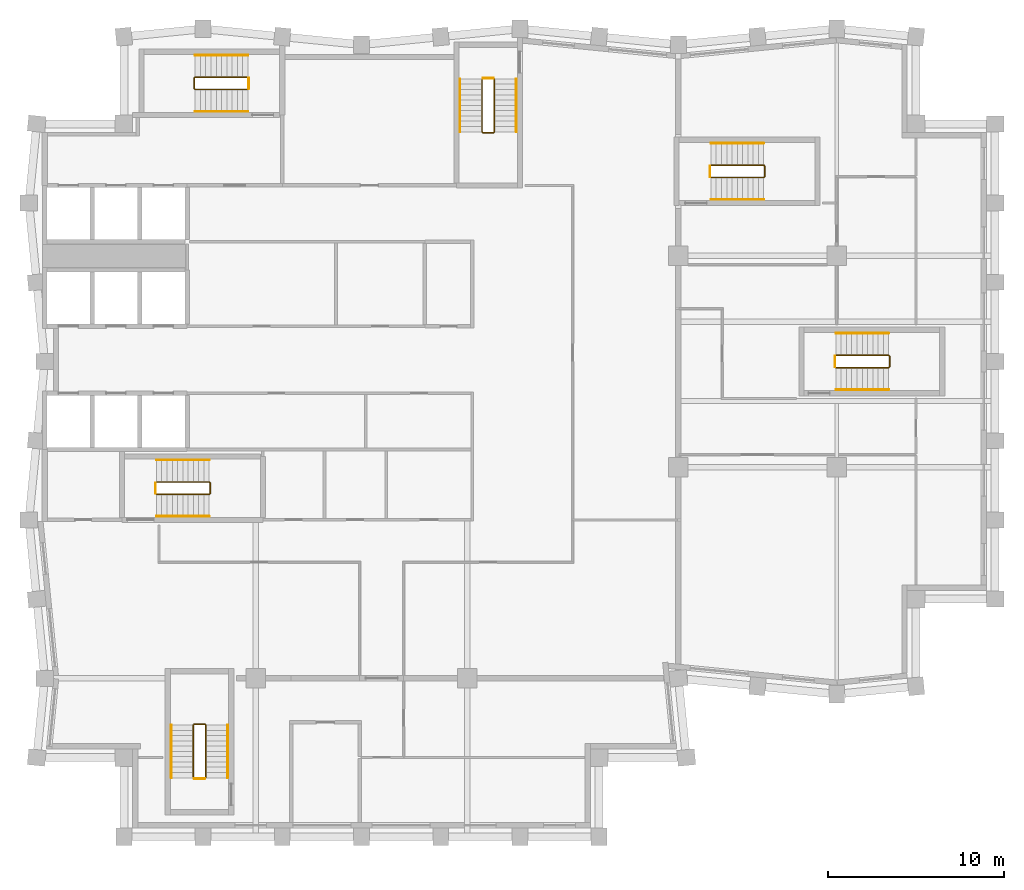
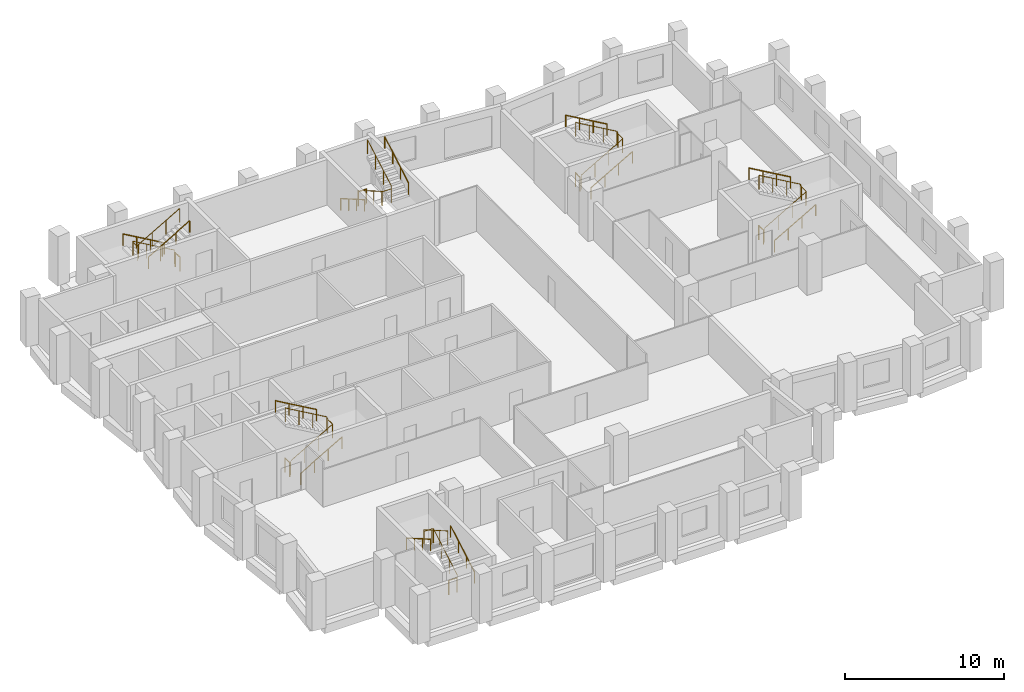
# One storey, part 8 of 8: 24 railings.
"""IFC4 building model written with IfcOpenShell, lengths in metres."""

from ifc_helpers import new_model, si_unit, direction, frame, origin, origin_2d, place, context, subcontext, project, spatial, circle, extrude, material, type_object, element, save


model = new_model("IFC4")

# Units and contexts
model_context = context("Model", 3, precision=1e-05, world=origin(), true_north=direction((0.0, 1.0)))
body_context = subcontext(model_context, "Body", "Model", "MODEL_VIEW")
ifc_project = project(units=[si_unit("LENGTHUNIT", "METRE"), si_unit("AREAUNIT", "SQUARE_METRE"), si_unit("VOLUMEUNIT", "CUBIC_METRE"), si_unit("PLANEANGLEUNIT", "RADIAN"), si_unit("MASSUNIT", "GRAM", prefix="KILO")], contexts=[model_context])

# Site, building, storey
site_placement = place(None, origin())
site = spatial("IfcSite", under=ifc_project, at=site_placement, CompositionType="ELEMENT")
building_placement = place(site_placement, origin())
building = spatial("IfcBuilding", under=site, at=building_placement, Name="Brondeck Convention Tower", CompositionType="ELEMENT")
storey_placement = place(building_placement, frame((0.0, 0.0, 233.0)))
storey = spatial("IfcBuildingStorey", under=building, at=storey_placement, Name="L57", CompositionType="ELEMENT", Elevation=233.0)

# Railings
ifc_material = material(Name="Steel S355", Category="steel")
railing_type_1 = type_object("IfcRailingType", Name="Stair guard 1100", PredefinedType="GUARDRAIL", material=ifc_material)
railing_1_placement = place(storey_placement, frame((6.35009765625, 37.449951171875, 0.172607421875)))
element("IfcRailing", 1, at=railing_1_placement, inside=storey, type_object=railing_type_1, Name="L57 ST-1 stair guard 1", PredefinedType="GUARDRAIL", context=body_context, shape_type="SweptSolid", body=[
    extrude(circle(Radius=0.02392578125, at=origin_2d()), frame((0.0, 0.0, 1.076171875), z_axis=(0.866619684472, 0.0, 0.498969260062), x_axis=(0.0, 1.0, 0.0)), (0.0, 0.0, 1.0), 3.461669921875),
    extrude(circle(Radius=0.02392578125, at=origin_2d()), frame((3.0, 0.0, 2.80322265625), z_axis=(0.705375805398, 0.708833529934, 0.0), x_axis=(-0.708833529934, 0.705375805398, 0.0)), (0.0, 0.0, 1.0), 0.070556640625),
    extrude(circle(Radius=0.02392578125, at=origin_2d()), frame((3.0498046875, 0.050048828125, 2.80322265625), z_axis=(0.0, 1.0, 0.0), x_axis=(-1.0, 0.0, 0.0)), (0.0, 0.0, 1.0), 0.60009765625),
    extrude(circle(Radius=0.02392578125, at=origin_2d()), frame((3.0498046875, 0.650146484375, 2.80322265625), z_axis=(-0.266832911964, 0.266832911964, 0.926067165051), x_axis=(-0.707106781187, -0.707106781187, 0.0)), (0.0, 0.0, 1.0), 0.186767578125),
    extrude(circle(Radius=0.02392578125, at=origin_2d()), frame((3.0, 0.699951171875, 2.97607421875), z_axis=(-0.866619684472, 0.0, 0.498969260062), x_axis=(0.0, -1.0, 0.0)), (0.0, 0.0, 1.0), 3.461669921875),
    extrude(circle(Radius=0.02099609375, at=origin_2d()), origin(), (0.0, 0.0, 1.0), 1.052001953125),
    extrude(circle(Radius=0.02099609375, at=origin_2d()), frame((1.0, 0.0, 0.57568359375)), (0.0, 0.0, 1.0), 1.052001953125),
    extrude(circle(Radius=0.02099609375, at=origin_2d()), frame((2.0, 0.0, 1.151611328125)), (0.0, 0.0, 1.0), 1.052001953125),
    extrude(circle(Radius=0.02099609375, at=origin_2d()), frame((3.0, 0.0, 1.727294921875)), (0.0, 0.0, 1.0), 1.052001953125),
    extrude(circle(Radius=0.02099609375, at=origin_2d()), frame((3.0498046875, 0.050048828125, 1.727294921875)), (0.0, 0.0, 1.0), 1.052001953125),
    extrude(circle(Radius=0.02099609375, at=origin_2d()), frame((3.0498046875, 0.650146484375, 1.727294921875)), (0.0, 0.0, 1.0), 1.052001953125),
    extrude(circle(Radius=0.02099609375, at=origin_2d()), frame((3.0, 0.699951171875, 1.900146484375)), (0.0, 0.0, 1.0), 1.052001953125),
    extrude(circle(Radius=0.02099609375, at=origin_2d()), frame((2.0, 0.699951171875, 2.475830078125)), (0.0, 0.0, 1.0), 1.052001953125),
    extrude(circle(Radius=0.02099609375, at=origin_2d()), frame((1.0, 0.699951171875, 3.0517578125)), (0.0, 0.0, 1.0), 1.052001953125),
    extrude(circle(Radius=0.02099609375, at=origin_2d()), frame((0.0, 0.699951171875, 3.62744140625)), (0.0, 0.0, 1.0), 1.052001953125),
])
railing_2_placement = place(storey_placement, frame((6.300048828125, 37.5, 0.0)))
element("IfcRailing", 2, at=railing_2_placement, inside=storey, type_object=railing_type_1, Name="L57 ST-1 stair guard 2", PredefinedType="GUARDRAIL", context=body_context, shape_type="SweptSolid", body=[
    extrude(circle(Radius=0.02392578125, at=origin_2d()), frame((0.0, 0.0, 1.076171875), z_axis=(0.0, 1.0, 0.0), x_axis=(-1.0, 0.0, 0.0)), (0.0, 0.0, 1.0), 0.60009765625),
    extrude(circle(Radius=0.02099609375, at=origin_2d()), origin(), (0.0, 0.0, 1.0), 1.052001953125),
    extrude(circle(Radius=0.02099609375, at=origin_2d()), frame((0.0, 0.60009765625, 0.0)), (0.0, 0.0, 1.0), 1.052001953125),
])
railing_3_placement = place(storey_placement, frame((24.85009765625, 61.050048828125, 0.172607421875)))
element("IfcRailing", 3, at=railing_3_placement, inside=storey, type_object=railing_type_1, Name="L57 ST-2 stair guard 1", PredefinedType="GUARDRAIL", context=body_context, shape_type="SweptSolid", body=[
    extrude(circle(Radius=0.02392578125, at=origin_2d()), frame((0.0, 0.0, 1.076171875), z_axis=(0.0, -0.866619684472, 0.498969260062), x_axis=(1.0, 0.0, 0.0)), (0.0, 0.0, 1.0), 3.461669921875),
    extrude(circle(Radius=0.02392578125, at=origin_2d()), frame((0.0, -3.0, 2.80322265625), z_axis=(0.705375805398, -0.708833529934, 0.0), x_axis=(0.708833529934, 0.705375805398, 0.0)), (0.0, 0.0, 1.0), 0.070556640625),
    extrude(circle(Radius=0.02392578125, at=origin_2d()), frame((0.0498046875, -3.050048828125, 2.80322265625), z_axis=(1.0, 0.0, 0.0), x_axis=(0.0, 1.0, 0.0)), (0.0, 0.0, 1.0), 0.60009765625),
    extrude(circle(Radius=0.02392578125, at=origin_2d()), frame((0.64990234375, -3.050048828125, 2.80322265625), z_axis=(0.267953482034, 0.267953482034, 0.925419830635), x_axis=(-0.707106781187, 0.707106781187, 0.0)), (0.0, 0.0, 1.0), 0.186767578125),
    extrude(circle(Radius=0.02392578125, at=origin_2d()), frame((0.699951171875, -3.0, 2.97607421875), z_axis=(0.0, 0.866619684472, 0.498969260062), x_axis=(-1.0, 0.0, 0.0)), (0.0, 0.0, 1.0), 3.461669921875),
    extrude(circle(Radius=0.02099609375, at=origin_2d()), origin(), (0.0, 0.0, 1.0), 1.052001953125),
    extrude(circle(Radius=0.02099609375, at=origin_2d()), frame((0.0, -1.0, 0.57568359375)), (0.0, 0.0, 1.0), 1.052001953125),
    extrude(circle(Radius=0.02099609375, at=origin_2d()), frame((0.0, -2.0, 1.151611328125)), (0.0, 0.0, 1.0), 1.052001953125),
    extrude(circle(Radius=0.02099609375, at=origin_2d()), frame((0.0, -3.0, 1.727294921875)), (0.0, 0.0, 1.0), 1.052001953125),
    extrude(circle(Radius=0.02099609375, at=origin_2d()), frame((0.0498046875, -3.050048828125, 1.727294921875)), (0.0, 0.0, 1.0), 1.052001953125),
    extrude(circle(Radius=0.02099609375, at=origin_2d()), frame((0.64990234375, -3.050048828125, 1.727294921875)), (0.0, 0.0, 1.0), 1.052001953125),
    extrude(circle(Radius=0.02099609375, at=origin_2d()), frame((0.699951171875, -3.0, 1.900146484375)), (0.0, 0.0, 1.0), 1.052001953125),
    extrude(circle(Radius=0.02099609375, at=origin_2d()), frame((0.699951171875, -2.0, 2.475830078125)), (0.0, 0.0, 1.0), 1.052001953125),
    extrude(circle(Radius=0.02099609375, at=origin_2d()), frame((0.699951171875, -1.0, 3.0517578125)), (0.0, 0.0, 1.0), 1.052001953125),
    extrude(circle(Radius=0.02099609375, at=origin_2d()), frame((0.699951171875, 0.0, 3.62744140625)), (0.0, 0.0, 1.0), 1.052001953125),
])
railing_4_placement = place(storey_placement, frame((24.89990234375, 61.10009765625, 0.0)))
element("IfcRailing", 4, at=railing_4_placement, inside=storey, type_object=railing_type_1, Name="L57 ST-2 stair guard 2", PredefinedType="GUARDRAIL", context=body_context, shape_type="SweptSolid", body=[
    extrude(circle(Radius=0.02392578125, at=origin_2d()), frame((0.0, 0.0, 1.076171875), z_axis=(1.0, 0.0, 0.0), x_axis=(0.0, 1.0, 0.0)), (0.0, 0.0, 1.0), 0.60009765625),
    extrude(circle(Radius=0.02099609375, at=origin_2d()), origin(), (0.0, 0.0, 1.0), 1.052001953125),
    extrude(circle(Radius=0.02099609375, at=origin_2d()), frame((0.60009765625, 0.0, 0.0)), (0.0, 0.0, 1.0), 1.052001953125),
])
railing_5_placement = place(storey_placement, frame((11.550048828125, 61.14990234375, 0.172607421875)))
element("IfcRailing", 5, at=railing_5_placement, inside=storey, type_object=railing_type_1, Name="L57 ST-3 stair guard 1", PredefinedType="GUARDRAIL", context=body_context, shape_type="SweptSolid", body=[
    extrude(circle(Radius=0.02392578125, at=origin_2d()), frame((0.0, 0.0, 1.076171875), z_axis=(-0.866619684472, 0.0, 0.498969260062), x_axis=(0.0, -1.0, 0.0)), (0.0, 0.0, 1.0), 3.461669921875),
    extrude(circle(Radius=0.02392578125, at=origin_2d()), frame((-3.0, 0.0, 2.80322265625), z_axis=(-0.708833529934, -0.705375805398, 0.0), x_axis=(0.705375805398, -0.708833529934, 0.0)), (0.0, 0.0, 1.0), 0.070556640625),
    extrude(circle(Radius=0.02392578125, at=origin_2d()), frame((-3.050048828125, -0.0498046875, 2.80322265625), z_axis=(0.0, -1.0, 0.0), x_axis=(1.0, 0.0, 0.0)), (0.0, 0.0, 1.0), 0.60009765625),
    extrude(circle(Radius=0.02392578125, at=origin_2d()), frame((-3.050048828125, -0.64990234375, 2.80322265625), z_axis=(0.267953482034, -0.267953482034, 0.925419830635), x_axis=(0.707106781187, 0.707106781187, 0.0)), (0.0, 0.0, 1.0), 0.186767578125),
    extrude(circle(Radius=0.02392578125, at=origin_2d()), frame((-3.0, -0.699951171875, 2.97607421875), z_axis=(0.866619684472, 0.0, 0.498969260062), x_axis=(0.0, 1.0, 0.0)), (0.0, 0.0, 1.0), 3.461669921875),
    extrude(circle(Radius=0.02099609375, at=origin_2d()), origin(), (0.0, 0.0, 1.0), 1.052001953125),
    extrude(circle(Radius=0.02099609375, at=origin_2d()), frame((-1.0, 0.0, 0.57568359375)), (0.0, 0.0, 1.0), 1.052001953125),
    extrude(circle(Radius=0.02099609375, at=origin_2d()), frame((-2.0, 0.0, 1.151611328125)), (0.0, 0.0, 1.0), 1.052001953125),
    extrude(circle(Radius=0.02099609375, at=origin_2d()), frame((-3.0, 0.0, 1.727294921875)), (0.0, 0.0, 1.0), 1.052001953125),
    extrude(circle(Radius=0.02099609375, at=origin_2d()), frame((-3.050048828125, -0.0498046875, 1.727294921875)), (0.0, 0.0, 1.0), 1.052001953125),
    extrude(circle(Radius=0.02099609375, at=origin_2d()), frame((-3.050048828125, -0.64990234375, 1.727294921875)), (0.0, 0.0, 1.0), 1.052001953125),
    extrude(circle(Radius=0.02099609375, at=origin_2d()), frame((-3.0, -0.699951171875, 1.900146484375)), (0.0, 0.0, 1.0), 1.052001953125),
    extrude(circle(Radius=0.02099609375, at=origin_2d()), frame((-2.0, -0.699951171875, 2.475830078125)), (0.0, 0.0, 1.0), 1.052001953125),
    extrude(circle(Radius=0.02099609375, at=origin_2d()), frame((-1.0, -0.699951171875, 3.0517578125)), (0.0, 0.0, 1.0), 1.052001953125),
    extrude(circle(Radius=0.02099609375, at=origin_2d()), frame((0.0, -0.699951171875, 3.62744140625)), (0.0, 0.0, 1.0), 1.052001953125),
])
railing_6_placement = place(storey_placement, frame((11.60009765625, 61.10009765625, 0.0)))
element("IfcRailing", 6, at=railing_6_placement, inside=storey, type_object=railing_type_1, Name="L57 ST-3 stair guard 2", PredefinedType="GUARDRAIL", context=body_context, shape_type="SweptSolid", body=[
    extrude(circle(Radius=0.02392578125, at=origin_2d()), frame((0.0, 0.0, 1.076171875), z_axis=(0.0, -1.0, 0.0), x_axis=(1.0, 0.0, 0.0)), (0.0, 0.0, 1.0), 0.60009765625),
    extrude(circle(Radius=0.02099609375, at=origin_2d()), origin(), (0.0, 0.0, 1.0), 1.052001953125),
    extrude(circle(Radius=0.02099609375, at=origin_2d()), frame((0.0, -0.60009765625, 0.0)), (0.0, 0.0, 1.0), 1.052001953125),
])
railing_7_placement = place(storey_placement, frame((37.85009765625, 55.449951171875, 0.172607421875)))
element("IfcRailing", 7, at=railing_7_placement, inside=storey, type_object=railing_type_1, Name="L57 ST-AE stair guard 1", PredefinedType="GUARDRAIL", context=body_context, shape_type="SweptSolid", body=[
    extrude(circle(Radius=0.02392578125, at=origin_2d()), frame((0.0, 0.0, 1.076171875), z_axis=(0.866619684472, 0.0, 0.498969260062), x_axis=(0.0, 1.0, 0.0)), (0.0, 0.0, 1.0), 3.461669921875),
    extrude(circle(Radius=0.02392578125, at=origin_2d()), frame((3.0, 0.0, 2.80322265625), z_axis=(0.705375805398, 0.708833529934, 0.0), x_axis=(-0.708833529934, 0.705375805398, 0.0)), (0.0, 0.0, 1.0), 0.070556640625),
    extrude(circle(Radius=0.02392578125, at=origin_2d()), frame((3.0498046875, 0.050048828125, 2.80322265625), z_axis=(0.0, 1.0, 0.0), x_axis=(-1.0, 0.0, 0.0)), (0.0, 0.0, 1.0), 0.60009765625),
    extrude(circle(Radius=0.02392578125, at=origin_2d()), frame((3.0498046875, 0.650146484375, 2.80322265625), z_axis=(-0.266832911964, 0.266832911964, 0.926067165051), x_axis=(-0.707106781187, -0.707106781187, 0.0)), (0.0, 0.0, 1.0), 0.186767578125),
    extrude(circle(Radius=0.02392578125, at=origin_2d()), frame((3.0, 0.699951171875, 2.97607421875), z_axis=(-0.866619684472, 0.0, 0.498969260062), x_axis=(0.0, -1.0, 0.0)), (0.0, 0.0, 1.0), 3.461669921875),
    extrude(circle(Radius=0.02099609375, at=origin_2d()), origin(), (0.0, 0.0, 1.0), 1.052001953125),
    extrude(circle(Radius=0.02099609375, at=origin_2d()), frame((1.0, 0.0, 0.57568359375)), (0.0, 0.0, 1.0), 1.052001953125),
    extrude(circle(Radius=0.02099609375, at=origin_2d()), frame((2.0, 0.0, 1.151611328125)), (0.0, 0.0, 1.0), 1.052001953125),
    extrude(circle(Radius=0.02099609375, at=origin_2d()), frame((3.0, 0.0, 1.727294921875)), (0.0, 0.0, 1.0), 1.052001953125),
    extrude(circle(Radius=0.02099609375, at=origin_2d()), frame((3.0498046875, 0.050048828125, 1.727294921875)), (0.0, 0.0, 1.0), 1.052001953125),
    extrude(circle(Radius=0.02099609375, at=origin_2d()), frame((3.0498046875, 0.650146484375, 1.727294921875)), (0.0, 0.0, 1.0), 1.052001953125),
    extrude(circle(Radius=0.02099609375, at=origin_2d()), frame((3.0, 0.699951171875, 1.900146484375)), (0.0, 0.0, 1.0), 1.052001953125),
    extrude(circle(Radius=0.02099609375, at=origin_2d()), frame((2.0, 0.699951171875, 2.475830078125)), (0.0, 0.0, 1.0), 1.052001953125),
    extrude(circle(Radius=0.02099609375, at=origin_2d()), frame((1.0, 0.699951171875, 3.0517578125)), (0.0, 0.0, 1.0), 1.052001953125),
    extrude(circle(Radius=0.02099609375, at=origin_2d()), frame((0.0, 0.699951171875, 3.62744140625)), (0.0, 0.0, 1.0), 1.052001953125),
])
railing_8_placement = place(storey_placement, frame((37.800048828125, 55.5, 0.0)))
element("IfcRailing", 8, at=railing_8_placement, inside=storey, type_object=railing_type_1, Name="L57 ST-AE stair guard 2", PredefinedType="GUARDRAIL", context=body_context, shape_type="SweptSolid", body=[
    extrude(circle(Radius=0.02392578125, at=origin_2d()), frame((0.0, 0.0, 1.076171875), z_axis=(0.0, 1.0, 0.0), x_axis=(-1.0, 0.0, 0.0)), (0.0, 0.0, 1.0), 0.60009765625),
    extrude(circle(Radius=0.02099609375, at=origin_2d()), origin(), (0.0, 0.0, 1.0), 1.052001953125),
    extrude(circle(Radius=0.02099609375, at=origin_2d()), frame((0.0, 0.60009765625, 0.0)), (0.0, 0.0, 1.0), 1.052001953125),
])
railing_9_placement = place(storey_placement, frame((9.14990234375, 21.35009765625, 0.172607421875)))
element("IfcRailing", 9, at=railing_9_placement, inside=storey, type_object=railing_type_1, Name="L57 ST-BE stair guard 1", PredefinedType="GUARDRAIL", context=body_context, shape_type="SweptSolid", body=[
    extrude(circle(Radius=0.02392578125, at=origin_2d()), frame((0.0, 0.0, 1.076171875), z_axis=(0.0, 0.866619684472, 0.498969260062), x_axis=(-1.0, 0.0, 0.0)), (0.0, 0.0, 1.0), 3.461669921875),
    extrude(circle(Radius=0.02392578125, at=origin_2d()), frame((0.0, 3.0, 2.80322265625), z_axis=(-0.707106781187, 0.707106781187, 0.0), x_axis=(-0.707106781187, -0.707106781187, 0.0)), (0.0, 0.0, 1.0), 0.0703125),
    extrude(circle(Radius=0.02392578125, at=origin_2d()), frame((-0.0498046875, 3.0498046875, 2.80322265625), z_axis=(-1.0, 0.0, 0.0), x_axis=(0.0, -1.0, 0.0)), (0.0, 0.0, 1.0), 0.60009765625),
    extrude(circle(Radius=0.02392578125, at=origin_2d()), frame((-0.64990234375, 3.0498046875, 2.80322265625), z_axis=(-0.268047150085, -0.266739603011, 0.925743328097), x_axis=(0.705375805398, -0.708833529934, 0.0)), (0.0, 0.0, 1.0), 0.186767578125),
    extrude(circle(Radius=0.02392578125, at=origin_2d()), frame((-0.699951171875, 3.0, 2.97607421875), z_axis=(0.0, -0.866619684472, 0.498969260062), x_axis=(1.0, 0.0, 0.0)), (0.0, 0.0, 1.0), 3.461669921875),
    extrude(circle(Radius=0.02099609375, at=origin_2d()), origin(), (0.0, 0.0, 1.0), 1.052001953125),
    extrude(circle(Radius=0.02099609375, at=origin_2d()), frame((0.0, 1.0, 0.57568359375)), (0.0, 0.0, 1.0), 1.052001953125),
    extrude(circle(Radius=0.02099609375, at=origin_2d()), frame((0.0, 2.0, 1.151611328125)), (0.0, 0.0, 1.0), 1.052001953125),
    extrude(circle(Radius=0.02099609375, at=origin_2d()), frame((0.0, 3.0, 1.727294921875)), (0.0, 0.0, 1.0), 1.052001953125),
    extrude(circle(Radius=0.02099609375, at=origin_2d()), frame((-0.0498046875, 3.0498046875, 1.727294921875)), (0.0, 0.0, 1.0), 1.052001953125),
    extrude(circle(Radius=0.02099609375, at=origin_2d()), frame((-0.64990234375, 3.0498046875, 1.727294921875)), (0.0, 0.0, 1.0), 1.052001953125),
    extrude(circle(Radius=0.02099609375, at=origin_2d()), frame((-0.699951171875, 3.0, 1.900146484375)), (0.0, 0.0, 1.0), 1.052001953125),
    extrude(circle(Radius=0.02099609375, at=origin_2d()), frame((-0.699951171875, 2.0, 2.475830078125)), (0.0, 0.0, 1.0), 1.052001953125),
    extrude(circle(Radius=0.02099609375, at=origin_2d()), frame((-0.699951171875, 1.0, 3.0517578125)), (0.0, 0.0, 1.0), 1.052001953125),
    extrude(circle(Radius=0.02099609375, at=origin_2d()), frame((-0.699951171875, 0.0, 3.62744140625)), (0.0, 0.0, 1.0), 1.052001953125),
])
railing_10_placement = place(storey_placement, frame((9.10009765625, 21.300048828125, 0.0)))
element("IfcRailing", 10, at=railing_10_placement, inside=storey, type_object=railing_type_1, Name="L57 ST-BE stair guard 2", PredefinedType="GUARDRAIL", context=body_context, shape_type="SweptSolid", body=[
    extrude(circle(Radius=0.02392578125, at=origin_2d()), frame((0.0, 0.0, 1.076171875), z_axis=(-1.0, 0.0, 0.0), x_axis=(0.0, -1.0, 0.0)), (0.0, 0.0, 1.0), 0.60009765625),
    extrude(circle(Radius=0.02099609375, at=origin_2d()), origin(), (0.0, 0.0, 1.0), 1.052001953125),
    extrude(circle(Radius=0.02099609375, at=origin_2d()), frame((-0.60009765625, 0.0, 0.0)), (0.0, 0.0, 1.0), 1.052001953125),
])
railing_11_placement = place(storey_placement, frame((44.949951171875, 44.64990234375, 0.172607421875)))
element("IfcRailing", 11, at=railing_11_placement, inside=storey, type_object=railing_type_1, Name="L57 ST-AF stair guard 1", PredefinedType="GUARDRAIL", context=body_context, shape_type="SweptSolid", body=[
    extrude(circle(Radius=0.02392578125, at=origin_2d()), frame((0.0, 0.0, 1.076171875), z_axis=(0.866619684472, 0.0, 0.498969260062), x_axis=(0.0, 1.0, 0.0)), (0.0, 0.0, 1.0), 3.461669921875),
    extrude(circle(Radius=0.02392578125, at=origin_2d()), frame((3.0, 0.0, 2.80322265625), z_axis=(0.707106781187, 0.707106781187, 0.0), x_axis=(-0.707106781187, 0.707106781187, 0.0)), (0.0, 0.0, 1.0), 0.07080078125),
    extrude(circle(Radius=0.02392578125, at=origin_2d()), frame((3.050048828125, 0.050048828125, 2.80322265625), z_axis=(0.0, 1.0, 0.0), x_axis=(-1.0, 0.0, 0.0)), (0.0, 0.0, 1.0), 0.60009765625),
    extrude(circle(Radius=0.02392578125, at=origin_2d()), frame((3.050048828125, 0.650146484375, 2.80322265625), z_axis=(-0.267953482034, 0.267953482034, 0.925419830635), x_axis=(-0.707106781187, -0.707106781187, 0.0)), (0.0, 0.0, 1.0), 0.186767578125),
    extrude(circle(Radius=0.02392578125, at=origin_2d()), frame((3.0, 0.7001953125, 2.97607421875), z_axis=(-0.866619684472, 0.0, 0.498969260062), x_axis=(0.0, -1.0, 0.0)), (0.0, 0.0, 1.0), 3.461669921875),
    extrude(circle(Radius=0.02099609375, at=origin_2d()), origin(), (0.0, 0.0, 1.0), 1.052001953125),
    extrude(circle(Radius=0.02099609375, at=origin_2d()), frame((1.0, 0.0, 0.57568359375)), (0.0, 0.0, 1.0), 1.052001953125),
    extrude(circle(Radius=0.02099609375, at=origin_2d()), frame((2.0, 0.0, 1.151611328125)), (0.0, 0.0, 1.0), 1.052001953125),
    extrude(circle(Radius=0.02099609375, at=origin_2d()), frame((3.0, 0.0, 1.727294921875)), (0.0, 0.0, 1.0), 1.052001953125),
    extrude(circle(Radius=0.02099609375, at=origin_2d()), frame((3.050048828125, 0.050048828125, 1.727294921875)), (0.0, 0.0, 1.0), 1.052001953125),
    extrude(circle(Radius=0.02099609375, at=origin_2d()), frame((3.050048828125, 0.650146484375, 1.727294921875)), (0.0, 0.0, 1.0), 1.052001953125),
    extrude(circle(Radius=0.02099609375, at=origin_2d()), frame((3.0, 0.7001953125, 1.900146484375)), (0.0, 0.0, 1.0), 1.052001953125),
    extrude(circle(Radius=0.02099609375, at=origin_2d()), frame((2.0, 0.7001953125, 2.475830078125)), (0.0, 0.0, 1.0), 1.052001953125),
    extrude(circle(Radius=0.02099609375, at=origin_2d()), frame((1.0, 0.7001953125, 3.0517578125)), (0.0, 0.0, 1.0), 1.052001953125),
    extrude(circle(Radius=0.02099609375, at=origin_2d()), frame((0.0, 0.7001953125, 3.62744140625)), (0.0, 0.0, 1.0), 1.052001953125),
])
railing_12_placement = place(storey_placement, frame((44.89990234375, 44.699951171875, 0.0)))
element("IfcRailing", 12, at=railing_12_placement, inside=storey, type_object=railing_type_1, Name="L57 ST-AF stair guard 2", PredefinedType="GUARDRAIL", context=body_context, shape_type="SweptSolid", body=[
    extrude(circle(Radius=0.02392578125, at=origin_2d()), frame((0.0, 0.0, 1.076171875), z_axis=(0.0, 1.0, 0.0), x_axis=(-1.0, 0.0, 0.0)), (0.0, 0.0, 1.0), 0.60009765625),
    extrude(circle(Radius=0.02099609375, at=origin_2d()), origin(), (0.0, 0.0, 1.0), 1.052001953125),
    extrude(circle(Radius=0.02099609375, at=origin_2d()), frame((0.0, 0.60009765625, 0.0)), (0.0, 0.0, 1.0), 1.052001953125),
])
railing_type_2 = type_object("IfcRailingType", Name="Stair handrail", PredefinedType="HANDRAIL", material=ifc_material)
railing_13_placement = place(storey_placement, frame((6.35009765625, 36.199951171875, 0.172607421875)))
element("IfcRailing", 13, at=railing_13_placement, inside=storey, type_object=railing_type_2, Name="L57 ST-1 stair handrail 1", PredefinedType="HANDRAIL", context=body_context, shape_type="SweptSolid", body=[
    extrude(circle(Radius=0.02392578125, at=origin_2d()), frame((0.0, 0.0, 0.8759765625), z_axis=(0.866619684472, 0.0, 0.498969260062), x_axis=(0.0, 1.0, 0.0)), (0.0, 0.0, 1.0), 3.461669921875),
    extrude(circle(Radius=0.02099609375, at=origin_2d()), origin(), (0.0, 0.0, 1.0), 0.851806640625),
    extrude(circle(Radius=0.02099609375, at=origin_2d()), frame((1.0, 0.0, 0.57568359375)), (0.0, 0.0, 1.0), 0.851806640625),
    extrude(circle(Radius=0.02099609375, at=origin_2d()), frame((2.0, 0.0, 1.151611328125)), (0.0, 0.0, 1.0), 0.851806640625),
    extrude(circle(Radius=0.02099609375, at=origin_2d()), frame((3.0, 0.0, 1.727294921875)), (0.0, 0.0, 1.0), 0.851806640625),
])
railing_14_placement = place(storey_placement, frame((9.35009765625, 39.39990234375, 2.07275390625)))
element("IfcRailing", 14, at=railing_14_placement, inside=storey, type_object=railing_type_2, Name="L57 ST-1 stair handrail 2", PredefinedType="HANDRAIL", context=body_context, shape_type="SweptSolid", body=[
    extrude(circle(Radius=0.02392578125, at=origin_2d()), frame((0.0, 0.0, 0.8759765625), z_axis=(-0.866619684472, 0.0, 0.498969260062), x_axis=(0.0, -1.0, 0.0)), (0.0, 0.0, 1.0), 3.461669921875),
    extrude(circle(Radius=0.02099609375, at=origin_2d()), origin(), (0.0, 0.0, 1.0), 0.851806640625),
    extrude(circle(Radius=0.02099609375, at=origin_2d()), frame((-1.0, 0.0, 0.57568359375)), (0.0, 0.0, 1.0), 0.851806640625),
    extrude(circle(Radius=0.02099609375, at=origin_2d()), frame((-2.0, 0.0, 1.151611328125)), (0.0, 0.0, 1.0), 0.851806640625),
    extrude(circle(Radius=0.02099609375, at=origin_2d()), frame((-3.0, 0.0, 1.727294921875)), (0.0, 0.0, 1.0), 0.851806640625),
])
railing_15_placement = place(storey_placement, frame((23.60009765625, 61.050048828125, 0.172607421875)))
element("IfcRailing", 15, at=railing_15_placement, inside=storey, type_object=railing_type_2, Name="L57 ST-2 stair handrail 1", PredefinedType="HANDRAIL", context=body_context, shape_type="SweptSolid", body=[
    extrude(circle(Radius=0.02392578125, at=origin_2d()), frame((0.0, 0.0, 0.8759765625), z_axis=(0.0, -0.866619684472, 0.498969260062), x_axis=(1.0, 0.0, 0.0)), (0.0, 0.0, 1.0), 3.461669921875),
    extrude(circle(Radius=0.02099609375, at=origin_2d()), origin(), (0.0, 0.0, 1.0), 0.851806640625),
    extrude(circle(Radius=0.02099609375, at=origin_2d()), frame((0.0, -1.0, 0.57568359375)), (0.0, 0.0, 1.0), 0.851806640625),
    extrude(circle(Radius=0.02099609375, at=origin_2d()), frame((0.0, -2.0, 1.151611328125)), (0.0, 0.0, 1.0), 0.851806640625),
    extrude(circle(Radius=0.02099609375, at=origin_2d()), frame((0.0, -3.0, 1.727294921875)), (0.0, 0.0, 1.0), 0.851806640625),
])
railing_16_placement = place(storey_placement, frame((26.800048828125, 58.050048828125, 2.07275390625)))
element("IfcRailing", 16, at=railing_16_placement, inside=storey, type_object=railing_type_2, Name="L57 ST-2 stair handrail 2", PredefinedType="HANDRAIL", context=body_context, shape_type="SweptSolid", body=[
    extrude(circle(Radius=0.02392578125, at=origin_2d()), frame((0.0, 0.0, 0.8759765625), z_axis=(0.0, 0.866619684472, 0.498969260062), x_axis=(-1.0, 0.0, 0.0)), (0.0, 0.0, 1.0), 3.461669921875),
    extrude(circle(Radius=0.02099609375, at=origin_2d()), origin(), (0.0, 0.0, 1.0), 0.851806640625),
    extrude(circle(Radius=0.02099609375, at=origin_2d()), frame((0.0, 1.0, 0.57568359375)), (0.0, 0.0, 1.0), 0.851806640625),
    extrude(circle(Radius=0.02099609375, at=origin_2d()), frame((0.0, 2.0, 1.151611328125)), (0.0, 0.0, 1.0), 0.851806640625),
    extrude(circle(Radius=0.02099609375, at=origin_2d()), frame((0.0, 3.0, 1.727294921875)), (0.0, 0.0, 1.0), 0.851806640625),
])
railing_17_placement = place(storey_placement, frame((11.550048828125, 62.39990234375, 0.172607421875)))
element("IfcRailing", 17, at=railing_17_placement, inside=storey, type_object=railing_type_2, Name="L57 ST-3 stair handrail 1", PredefinedType="HANDRAIL", context=body_context, shape_type="SweptSolid", body=[
    extrude(circle(Radius=0.02392578125, at=origin_2d()), frame((0.0, 0.0, 0.8759765625), z_axis=(-0.866619684472, 0.0, 0.498969260062), x_axis=(0.0, -1.0, 0.0)), (0.0, 0.0, 1.0), 3.461669921875),
    extrude(circle(Radius=0.02099609375, at=origin_2d()), origin(), (0.0, 0.0, 1.0), 0.851806640625),
    extrude(circle(Radius=0.02099609375, at=origin_2d()), frame((-1.0, 0.0, 0.57568359375)), (0.0, 0.0, 1.0), 0.851806640625),
    extrude(circle(Radius=0.02099609375, at=origin_2d()), frame((-2.0, 0.0, 1.151611328125)), (0.0, 0.0, 1.0), 0.851806640625),
    extrude(circle(Radius=0.02099609375, at=origin_2d()), frame((-3.0, 0.0, 1.727294921875)), (0.0, 0.0, 1.0), 0.851806640625),
])
for number, where, name in (
    (18, (8.550048828125, 59.199951171875, 2.07275390625), "L57 ST-3 stair handrail 2"),
    (19, (37.85009765625, 54.199951171875, 0.172607421875), "L57 ST-AE stair handrail 1"),
):
    element("IfcRailing", number, at=place(storey_placement, frame(where)), inside=storey, type_object=railing_type_2, Name=name, PredefinedType="HANDRAIL", context=body_context, shape_type="SweptSolid", body=[
        extrude(circle(Radius=0.02392578125, at=origin_2d()), frame((0.0, 0.0, 0.8759765625), z_axis=(0.866619684472, 0.0, 0.498969260062), x_axis=(0.0, 1.0, 0.0)), (0.0, 0.0, 1.0), 3.461669921875),
        extrude(circle(Radius=0.02099609375, at=origin_2d()), origin(), (0.0, 0.0, 1.0), 0.851806640625),
        extrude(circle(Radius=0.02099609375, at=origin_2d()), frame((1.0, 0.0, 0.57568359375)), (0.0, 0.0, 1.0), 0.851806640625),
        extrude(circle(Radius=0.02099609375, at=origin_2d()), frame((2.0, 0.0, 1.151611328125)), (0.0, 0.0, 1.0), 0.851806640625),
        extrude(circle(Radius=0.02099609375, at=origin_2d()), frame((3.0, 0.0, 1.727294921875)), (0.0, 0.0, 1.0), 0.851806640625),
    ])
railing_18_placement = place(storey_placement, frame((40.85009765625, 57.39990234375, 2.07275390625)))
element("IfcRailing", 20, at=railing_18_placement, inside=storey, type_object=railing_type_2, Name="L57 ST-AE stair handrail 2", PredefinedType="HANDRAIL", context=body_context, shape_type="SweptSolid", body=[
    extrude(circle(Radius=0.02392578125, at=origin_2d()), frame((0.0, 0.0, 0.8759765625), z_axis=(-0.866619684472, 0.0, 0.498969260062), x_axis=(0.0, -1.0, 0.0)), (0.0, 0.0, 1.0), 3.461669921875),
    extrude(circle(Radius=0.02099609375, at=origin_2d()), origin(), (0.0, 0.0, 1.0), 0.851806640625),
    extrude(circle(Radius=0.02099609375, at=origin_2d()), frame((-1.0, 0.0, 0.57568359375)), (0.0, 0.0, 1.0), 0.851806640625),
    extrude(circle(Radius=0.02099609375, at=origin_2d()), frame((-2.0, 0.0, 1.151611328125)), (0.0, 0.0, 1.0), 0.851806640625),
    extrude(circle(Radius=0.02099609375, at=origin_2d()), frame((-3.0, 0.0, 1.727294921875)), (0.0, 0.0, 1.0), 0.851806640625),
])
railing_19_placement = place(storey_placement, frame((10.39990234375, 21.35009765625, 0.172607421875)))
element("IfcRailing", 21, at=railing_19_placement, inside=storey, type_object=railing_type_2, Name="L57 ST-BE stair handrail 1", PredefinedType="HANDRAIL", context=body_context, shape_type="SweptSolid", body=[
    extrude(circle(Radius=0.02392578125, at=origin_2d()), frame((0.0, 0.0, 0.8759765625), z_axis=(0.0, 0.866619684472, 0.498969260062), x_axis=(-1.0, 0.0, 0.0)), (0.0, 0.0, 1.0), 3.461669921875),
    extrude(circle(Radius=0.02099609375, at=origin_2d()), origin(), (0.0, 0.0, 1.0), 0.851806640625),
    extrude(circle(Radius=0.02099609375, at=origin_2d()), frame((0.0, 1.0, 0.57568359375)), (0.0, 0.0, 1.0), 0.851806640625),
    extrude(circle(Radius=0.02099609375, at=origin_2d()), frame((0.0, 2.0, 1.151611328125)), (0.0, 0.0, 1.0), 0.851806640625),
    extrude(circle(Radius=0.02099609375, at=origin_2d()), frame((0.0, 3.0, 1.727294921875)), (0.0, 0.0, 1.0), 0.851806640625),
])
railing_20_placement = place(storey_placement, frame((7.199951171875, 24.35009765625, 2.07275390625)))
element("IfcRailing", 22, at=railing_20_placement, inside=storey, type_object=railing_type_2, Name="L57 ST-BE stair handrail 2", PredefinedType="HANDRAIL", context=body_context, shape_type="SweptSolid", body=[
    extrude(circle(Radius=0.02392578125, at=origin_2d()), frame((0.0, 0.0, 0.8759765625), z_axis=(0.0, -0.866619684472, 0.498969260062), x_axis=(1.0, 0.0, 0.0)), (0.0, 0.0, 1.0), 3.461669921875),
    extrude(circle(Radius=0.02099609375, at=origin_2d()), origin(), (0.0, 0.0, 1.0), 0.851806640625),
    extrude(circle(Radius=0.02099609375, at=origin_2d()), frame((0.0, -1.0, 0.57568359375)), (0.0, 0.0, 1.0), 0.851806640625),
    extrude(circle(Radius=0.02099609375, at=origin_2d()), frame((0.0, -2.0, 1.151611328125)), (0.0, 0.0, 1.0), 0.851806640625),
    extrude(circle(Radius=0.02099609375, at=origin_2d()), frame((0.0, -3.0, 1.727294921875)), (0.0, 0.0, 1.0), 0.851806640625),
])
railing_21_placement = place(storey_placement, frame((44.949951171875, 43.39990234375, 0.172607421875)))
element("IfcRailing", 23, at=railing_21_placement, inside=storey, type_object=railing_type_2, Name="L57 ST-AF stair handrail 1", PredefinedType="HANDRAIL", context=body_context, shape_type="SweptSolid", body=[
    extrude(circle(Radius=0.02392578125, at=origin_2d()), frame((0.0, 0.0, 0.8759765625), z_axis=(0.866619684472, 0.0, 0.498969260062), x_axis=(0.0, 1.0, 0.0)), (0.0, 0.0, 1.0), 3.461669921875),
    extrude(circle(Radius=0.02099609375, at=origin_2d()), origin(), (0.0, 0.0, 1.0), 0.851806640625),
    extrude(circle(Radius=0.02099609375, at=origin_2d()), frame((1.0, 0.0, 0.57568359375)), (0.0, 0.0, 1.0), 0.851806640625),
    extrude(circle(Radius=0.02099609375, at=origin_2d()), frame((2.0, 0.0, 1.151611328125)), (0.0, 0.0, 1.0), 0.851806640625),
    extrude(circle(Radius=0.02099609375, at=origin_2d()), frame((3.0, 0.0, 1.727294921875)), (0.0, 0.0, 1.0), 0.851806640625),
])
railing_22_placement = place(storey_placement, frame((47.949951171875, 46.60009765625, 2.07275390625)))
element("IfcRailing", 24, at=railing_22_placement, inside=storey, type_object=railing_type_2, Name="L57 ST-AF stair handrail 2", PredefinedType="HANDRAIL", context=body_context, shape_type="SweptSolid", body=[
    extrude(circle(Radius=0.02392578125, at=origin_2d()), frame((0.0, 0.0, 0.8759765625), z_axis=(-0.866619684472, 0.0, 0.498969260062), x_axis=(0.0, -1.0, 0.0)), (0.0, 0.0, 1.0), 3.461669921875),
    extrude(circle(Radius=0.02099609375, at=origin_2d()), origin(), (0.0, 0.0, 1.0), 0.851806640625),
    extrude(circle(Radius=0.02099609375, at=origin_2d()), frame((-1.0, 0.0, 0.57568359375)), (0.0, 0.0, 1.0), 0.851806640625),
    extrude(circle(Radius=0.02099609375, at=origin_2d()), frame((-2.0, 0.0, 1.151611328125)), (0.0, 0.0, 1.0), 0.851806640625),
    extrude(circle(Radius=0.02099609375, at=origin_2d()), frame((-3.0, 0.0, 1.727294921875)), (0.0, 0.0, 1.0), 0.851806640625),
])

save(model, "model.ifc")
